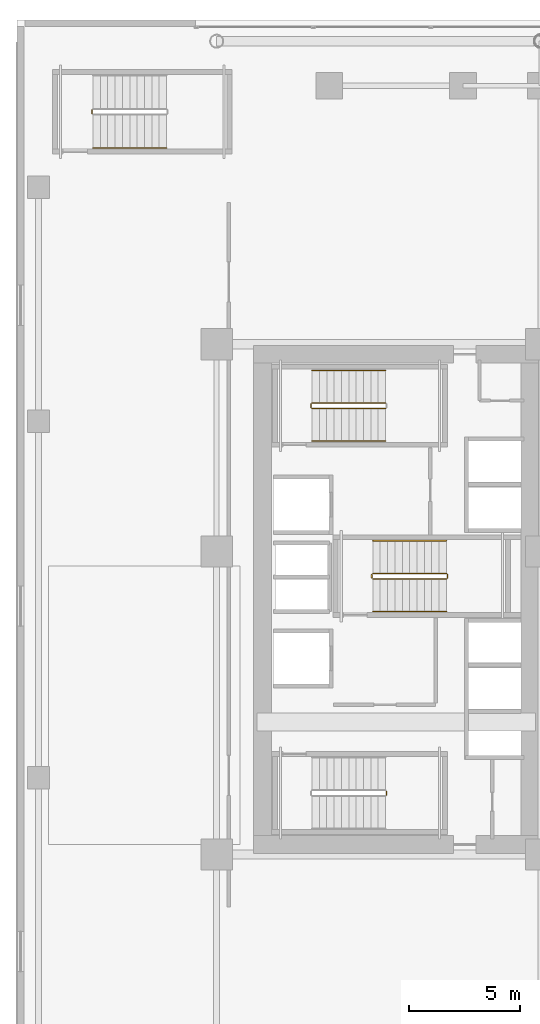
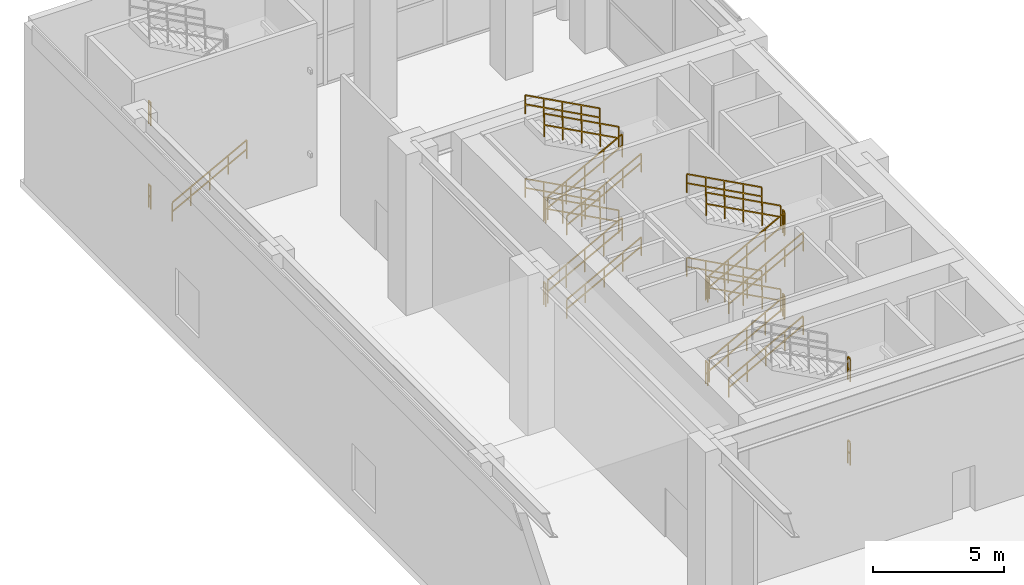
# One storey, part 26 of 29: 27 railings.
"""IFC4 building model written with IfcOpenShell, lengths in metres."""

from ifc_helpers import new_model, si_unit, direction, frame, origin, origin_2d, place, context, subcontext, project, spatial, rectangle, extrude, material, type_object, element, save


model = new_model("IFC4")

# Units and contexts
model_context = context("Model", 3, precision=1e-05, world=origin(), true_north=direction((0.0, 1.0)))
body_context = subcontext(model_context, "Body", "Model", "MODEL_VIEW")
ifc_project = project(units=[si_unit("LENGTHUNIT", "METRE"), si_unit("AREAUNIT", "SQUARE_METRE"), si_unit("VOLUMEUNIT", "CUBIC_METRE"), si_unit("PLANEANGLEUNIT", "RADIAN"), si_unit("MASSUNIT", "GRAM", prefix="KILO")], contexts=[model_context])

# Site, building, storey
site_placement = place(None, origin())
site = spatial("IfcSite", under=ifc_project, at=site_placement, CompositionType="ELEMENT")
building_placement = place(site_placement, origin())
building = spatial("IfcBuilding", under=site, at=building_placement, Name="Ocotamira Hotel", CompositionType="ELEMENT")
storey_placement = place(building_placement, frame((0.0, 0.0, 11.39990234375)))
storey = spatial("IfcBuildingStorey", under=building, at=storey_placement, Name="L03", CompositionType="ELEMENT", Elevation=11.39990234375)

# Railings
ifc_material_1 = material(Name="Brushed stainless steel handrail", Category="steel")
railing_type_1 = type_object("IfcRailingType", Name="RL-HAND-900", PredefinedType="HANDRAIL", material=ifc_material_1)
railing_1_placement = place(storey_placement, frame((13.22998046875, 33.10009765625, 0.354736328125)))
element("IfcRailing", 1, at=railing_1_placement, inside=storey, type_object=railing_type_1, Name="L03 ST-2 stair handrail 1", PredefinedType="HANDRAIL", context=body_context, shape_type="SweptSolid", body=[
    extrude(rectangle(XDim=0.048095703125, YDim=0.048095703125, at=origin_2d()), frame((0.0, 0.0, 0.8759765625), z_axis=(0.880943614595, 0.0, 0.473221246251), x_axis=(0.0, 1.0, 0.0)), (0.0, 0.0, 1.0), 3.74609375),
    extrude(rectangle(XDim=0.048095703125, YDim=0.048095703125, at=origin_2d()), frame((0.0, 0.0, 0.449951171875), z_axis=(0.880943614595, 0.0, 0.473221246251), x_axis=(0.0, 1.0, 0.0)), (0.0, 0.0, 1.0), 3.74609375),
    extrude(rectangle(XDim=0.0419921875, YDim=0.0419921875, at=origin_2d()), origin(), (0.0, 0.0, 1.0), 0.851806640625),
    extrude(rectangle(XDim=0.0419921875, YDim=0.0419921875, at=origin_2d()), frame((0.824951171875, 0.0, 0.443115234375)), (0.0, 0.0, 1.0), 0.851806640625),
    extrude(rectangle(XDim=0.0419921875, YDim=0.0419921875, at=origin_2d()), frame((1.64990234375, 0.0, 0.88623046875)), (0.0, 0.0, 1.0), 0.851806640625),
    extrude(rectangle(XDim=0.0419921875, YDim=0.0419921875, at=origin_2d()), frame((2.47509765625, 0.0, 1.32958984375)), (0.0, 0.0, 1.0), 0.851806640625),
    extrude(rectangle(XDim=0.0419921875, YDim=0.0419921875, at=origin_2d()), frame((3.300048828125, 0.0, 1.772705078125)), (0.0, 0.0, 1.0), 0.851806640625),
])
railing_2_placement = place(storey_placement, frame((16.530029296875, 36.280029296875, 2.3046875)))
element("IfcRailing", 2, at=railing_2_placement, inside=storey, type_object=railing_type_1, Name="L03 ST-2 stair handrail 2", PredefinedType="HANDRAIL", context=body_context, shape_type="SweptSolid", body=[
    extrude(rectangle(XDim=0.048095703125, YDim=0.048095703125, at=origin_2d()), frame((0.0, 0.0, 0.8759765625), z_axis=(-0.880943614595, 0.0, 0.473221246251), x_axis=(0.0, -1.0, 0.0)), (0.0, 0.0, 1.0), 3.74609375),
    extrude(rectangle(XDim=0.048095703125, YDim=0.048095703125, at=origin_2d()), frame((0.0, 0.0, 0.449951171875), z_axis=(-0.880943614595, 0.0, 0.473221246251), x_axis=(0.0, -1.0, 0.0)), (0.0, 0.0, 1.0), 3.74609375),
    extrude(rectangle(XDim=0.0419921875, YDim=0.0419921875, at=origin_2d()), origin(), (0.0, 0.0, 1.0), 0.851806640625),
    extrude(rectangle(XDim=0.0419921875, YDim=0.0419921875, at=origin_2d()), frame((-0.824951171875, 0.0, 0.443115234375)), (0.0, 0.0, 1.0), 0.851806640625),
    extrude(rectangle(XDim=0.0419921875, YDim=0.0419921875, at=origin_2d()), frame((-1.64990234375, 0.0, 0.88623046875)), (0.0, 0.0, 1.0), 0.851806640625),
    extrude(rectangle(XDim=0.0419921875, YDim=0.0419921875, at=origin_2d()), frame((-2.47509765625, 0.0, 1.32958984375)), (0.0, 0.0, 1.0), 0.851806640625),
    extrude(rectangle(XDim=0.0419921875, YDim=0.0419921875, at=origin_2d()), frame((-3.300048828125, 0.0, 1.772705078125)), (0.0, 0.0, 1.0), 0.851806640625),
])
railing_3_placement = place(storey_placement, frame((13.22998046875, 33.10009765625, 4.254638671875)))
element("IfcRailing", 3, at=railing_3_placement, inside=storey, type_object=railing_type_1, Name="L03 ST-2 stair handrail 3", PredefinedType="HANDRAIL", context=body_context, shape_type="SweptSolid", body=[
    extrude(rectangle(XDim=0.048095703125, YDim=0.048095703125, at=origin_2d()), frame((0.0, 0.0, 0.8759765625), z_axis=(0.880943614595, 0.0, 0.473221246251), x_axis=(0.0, 1.0, 0.0)), (0.0, 0.0, 1.0), 3.74609375),
    extrude(rectangle(XDim=0.048095703125, YDim=0.048095703125, at=origin_2d()), frame((0.0, 0.0, 0.449951171875), z_axis=(0.880943614595, 0.0, 0.473221246251), x_axis=(0.0, 1.0, 0.0)), (0.0, 0.0, 1.0), 3.74609375),
    extrude(rectangle(XDim=0.0419921875, YDim=0.0419921875, at=origin_2d()), origin(), (0.0, 0.0, 1.0), 0.851806640625),
    extrude(rectangle(XDim=0.0419921875, YDim=0.0419921875, at=origin_2d()), frame((0.824951171875, 0.0, 0.443115234375)), (0.0, 0.0, 1.0), 0.851806640625),
    extrude(rectangle(XDim=0.0419921875, YDim=0.0419921875, at=origin_2d()), frame((1.64990234375, 0.0, 0.88623046875)), (0.0, 0.0, 1.0), 0.851806640625),
    extrude(rectangle(XDim=0.0419921875, YDim=0.0419921875, at=origin_2d()), frame((2.47509765625, 0.0, 1.32958984375)), (0.0, 0.0, 1.0), 0.851806640625),
    extrude(rectangle(XDim=0.0419921875, YDim=0.0419921875, at=origin_2d()), frame((3.300048828125, 0.0, 1.772705078125)), (0.0, 0.0, 1.0), 0.851806640625),
])
railing_4_placement = place(storey_placement, frame((16.530029296875, 36.280029296875, 6.20458984375)))
element("IfcRailing", 4, at=railing_4_placement, inside=storey, type_object=railing_type_1, Name="L03 ST-2 stair handrail 4", PredefinedType="HANDRAIL", context=body_context, shape_type="SweptSolid", body=[
    extrude(rectangle(XDim=0.048095703125, YDim=0.048095703125, at=origin_2d()), frame((0.0, 0.0, 0.8759765625), z_axis=(-0.880943614595, 0.0, 0.473221246251), x_axis=(0.0, -1.0, 0.0)), (0.0, 0.0, 1.0), 3.74609375),
    extrude(rectangle(XDim=0.048095703125, YDim=0.048095703125, at=origin_2d()), frame((0.0, 0.0, 0.449951171875), z_axis=(-0.880943614595, 0.0, 0.473221246251), x_axis=(0.0, -1.0, 0.0)), (0.0, 0.0, 1.0), 3.74609375),
    extrude(rectangle(XDim=0.0419921875, YDim=0.0419921875, at=origin_2d()), origin(), (0.0, 0.0, 1.0), 0.851806640625),
    extrude(rectangle(XDim=0.0419921875, YDim=0.0419921875, at=origin_2d()), frame((-0.824951171875, 0.0, 0.443115234375)), (0.0, 0.0, 1.0), 0.851806640625),
    extrude(rectangle(XDim=0.0419921875, YDim=0.0419921875, at=origin_2d()), frame((-1.64990234375, 0.0, 0.88623046875)), (0.0, 0.0, 1.0), 0.851806640625),
    extrude(rectangle(XDim=0.0419921875, YDim=0.0419921875, at=origin_2d()), frame((-2.47509765625, 0.0, 1.32958984375)), (0.0, 0.0, 1.0), 0.851806640625),
    extrude(rectangle(XDim=0.0419921875, YDim=0.0419921875, at=origin_2d()), frame((-3.300048828125, 0.0, 1.772705078125)), (0.0, 0.0, 1.0), 0.851806640625),
])
railing_5_placement = place(storey_placement, frame((15.9599609375, 25.449951171875, 0.354736328125)))
element("IfcRailing", 5, at=railing_5_placement, inside=storey, type_object=railing_type_1, Name="L03 ST-3 stair handrail 1", PredefinedType="HANDRAIL", context=body_context, shape_type="SweptSolid", body=[
    extrude(rectangle(XDim=0.048095703125, YDim=0.048095703125, at=origin_2d()), frame((0.0, 0.0, 0.8759765625), z_axis=(0.880943614595, 0.0, 0.473221246251), x_axis=(0.0, 1.0, 0.0)), (0.0, 0.0, 1.0), 3.74609375),
    extrude(rectangle(XDim=0.048095703125, YDim=0.048095703125, at=origin_2d()), frame((0.0, 0.0, 0.449951171875), z_axis=(0.880943614595, 0.0, 0.473221246251), x_axis=(0.0, 1.0, 0.0)), (0.0, 0.0, 1.0), 3.74609375),
    extrude(rectangle(XDim=0.0419921875, YDim=0.0419921875, at=origin_2d()), origin(), (0.0, 0.0, 1.0), 0.851806640625),
    extrude(rectangle(XDim=0.0419921875, YDim=0.0419921875, at=origin_2d()), frame((0.824951171875, 0.0, 0.443115234375)), (0.0, 0.0, 1.0), 0.851806640625),
    extrude(rectangle(XDim=0.0419921875, YDim=0.0419921875, at=origin_2d()), frame((1.64990234375, 0.0, 0.88623046875)), (0.0, 0.0, 1.0), 0.851806640625),
    extrude(rectangle(XDim=0.0419921875, YDim=0.0419921875, at=origin_2d()), frame((2.47509765625, 0.0, 1.32958984375)), (0.0, 0.0, 1.0), 0.851806640625),
    extrude(rectangle(XDim=0.0419921875, YDim=0.0419921875, at=origin_2d()), frame((3.300048828125, 0.0, 1.772705078125)), (0.0, 0.0, 1.0), 0.851806640625),
])
railing_6_placement = place(storey_placement, frame((19.260009765625, 28.6298828125, 2.3046875)))
element("IfcRailing", 6, at=railing_6_placement, inside=storey, type_object=railing_type_1, Name="L03 ST-3 stair handrail 2", PredefinedType="HANDRAIL", context=body_context, shape_type="SweptSolid", body=[
    extrude(rectangle(XDim=0.048095703125, YDim=0.048095703125, at=origin_2d()), frame((0.0, 0.0, 0.8759765625), z_axis=(-0.880943614595, 0.0, 0.473221246251), x_axis=(0.0, -1.0, 0.0)), (0.0, 0.0, 1.0), 3.74609375),
    extrude(rectangle(XDim=0.048095703125, YDim=0.048095703125, at=origin_2d()), frame((0.0, 0.0, 0.449951171875), z_axis=(-0.880943614595, 0.0, 0.473221246251), x_axis=(0.0, -1.0, 0.0)), (0.0, 0.0, 1.0), 3.74609375),
    extrude(rectangle(XDim=0.0419921875, YDim=0.0419921875, at=origin_2d()), origin(), (0.0, 0.0, 1.0), 0.851806640625),
    extrude(rectangle(XDim=0.0419921875, YDim=0.0419921875, at=origin_2d()), frame((-0.824951171875, 0.0, 0.443115234375)), (0.0, 0.0, 1.0), 0.851806640625),
    extrude(rectangle(XDim=0.0419921875, YDim=0.0419921875, at=origin_2d()), frame((-1.64990234375, 0.0, 0.88623046875)), (0.0, 0.0, 1.0), 0.851806640625),
    extrude(rectangle(XDim=0.0419921875, YDim=0.0419921875, at=origin_2d()), frame((-2.47509765625, 0.0, 1.32958984375)), (0.0, 0.0, 1.0), 0.851806640625),
    extrude(rectangle(XDim=0.0419921875, YDim=0.0419921875, at=origin_2d()), frame((-3.300048828125, 0.0, 1.772705078125)), (0.0, 0.0, 1.0), 0.851806640625),
])
railing_7_placement = place(storey_placement, frame((15.9599609375, 25.449951171875, 4.254638671875)))
element("IfcRailing", 7, at=railing_7_placement, inside=storey, type_object=railing_type_1, Name="L03 ST-3 stair handrail 3", PredefinedType="HANDRAIL", context=body_context, shape_type="SweptSolid", body=[
    extrude(rectangle(XDim=0.048095703125, YDim=0.048095703125, at=origin_2d()), frame((0.0, 0.0, 0.8759765625), z_axis=(0.880943614595, 0.0, 0.473221246251), x_axis=(0.0, 1.0, 0.0)), (0.0, 0.0, 1.0), 3.74609375),
    extrude(rectangle(XDim=0.048095703125, YDim=0.048095703125, at=origin_2d()), frame((0.0, 0.0, 0.449951171875), z_axis=(0.880943614595, 0.0, 0.473221246251), x_axis=(0.0, 1.0, 0.0)), (0.0, 0.0, 1.0), 3.74609375),
    extrude(rectangle(XDim=0.0419921875, YDim=0.0419921875, at=origin_2d()), origin(), (0.0, 0.0, 1.0), 0.851806640625),
    extrude(rectangle(XDim=0.0419921875, YDim=0.0419921875, at=origin_2d()), frame((0.824951171875, 0.0, 0.443115234375)), (0.0, 0.0, 1.0), 0.851806640625),
    extrude(rectangle(XDim=0.0419921875, YDim=0.0419921875, at=origin_2d()), frame((1.64990234375, 0.0, 0.88623046875)), (0.0, 0.0, 1.0), 0.851806640625),
    extrude(rectangle(XDim=0.0419921875, YDim=0.0419921875, at=origin_2d()), frame((2.47509765625, 0.0, 1.32958984375)), (0.0, 0.0, 1.0), 0.851806640625),
    extrude(rectangle(XDim=0.0419921875, YDim=0.0419921875, at=origin_2d()), frame((3.300048828125, 0.0, 1.772705078125)), (0.0, 0.0, 1.0), 0.851806640625),
])
railing_8_placement = place(storey_placement, frame((19.260009765625, 28.6298828125, 6.20458984375)))
element("IfcRailing", 8, at=railing_8_placement, inside=storey, type_object=railing_type_1, Name="L03 ST-3 stair handrail 4", PredefinedType="HANDRAIL", context=body_context, shape_type="SweptSolid", body=[
    extrude(rectangle(XDim=0.048095703125, YDim=0.048095703125, at=origin_2d()), frame((0.0, 0.0, 0.8759765625), z_axis=(-0.880943614595, 0.0, 0.473221246251), x_axis=(0.0, -1.0, 0.0)), (0.0, 0.0, 1.0), 3.74609375),
    extrude(rectangle(XDim=0.048095703125, YDim=0.048095703125, at=origin_2d()), frame((0.0, 0.0, 0.449951171875), z_axis=(-0.880943614595, 0.0, 0.473221246251), x_axis=(0.0, -1.0, 0.0)), (0.0, 0.0, 1.0), 3.74609375),
    extrude(rectangle(XDim=0.0419921875, YDim=0.0419921875, at=origin_2d()), origin(), (0.0, 0.0, 1.0), 0.851806640625),
    extrude(rectangle(XDim=0.0419921875, YDim=0.0419921875, at=origin_2d()), frame((-0.824951171875, 0.0, 0.443115234375)), (0.0, 0.0, 1.0), 0.851806640625),
    extrude(rectangle(XDim=0.0419921875, YDim=0.0419921875, at=origin_2d()), frame((-1.64990234375, 0.0, 0.88623046875)), (0.0, 0.0, 1.0), 0.851806640625),
    extrude(rectangle(XDim=0.0419921875, YDim=0.0419921875, at=origin_2d()), frame((-2.47509765625, 0.0, 1.32958984375)), (0.0, 0.0, 1.0), 0.851806640625),
    extrude(rectangle(XDim=0.0419921875, YDim=0.0419921875, at=origin_2d()), frame((-3.300048828125, 0.0, 1.772705078125)), (0.0, 0.0, 1.0), 0.851806640625),
])
railing_9_placement = place(storey_placement, frame((3.39990234375, 46.25, 0.354736328125)))
element("IfcRailing", 9, at=railing_9_placement, inside=storey, type_object=railing_type_1, Name="L03 ST-5 stair handrail 1", PredefinedType="HANDRAIL", context=body_context, shape_type="SweptSolid", body=[
    extrude(rectangle(XDim=0.048095703125, YDim=0.048095703125, at=origin_2d()), frame((0.0, 0.0, 0.8759765625), z_axis=(0.880943614595, 0.0, 0.473221246251), x_axis=(0.0, 1.0, 0.0)), (0.0, 0.0, 1.0), 3.74609375),
    extrude(rectangle(XDim=0.048095703125, YDim=0.048095703125, at=origin_2d()), frame((0.0, 0.0, 0.449951171875), z_axis=(0.880943614595, 0.0, 0.473221246251), x_axis=(0.0, 1.0, 0.0)), (0.0, 0.0, 1.0), 3.74609375),
    extrude(rectangle(XDim=0.0419921875, YDim=0.0419921875, at=origin_2d()), origin(), (0.0, 0.0, 1.0), 0.851806640625),
    extrude(rectangle(XDim=0.0419921875, YDim=0.0419921875, at=origin_2d()), frame((0.824951171875, 0.0, 0.443115234375)), (0.0, 0.0, 1.0), 0.851806640625),
    extrude(rectangle(XDim=0.0419921875, YDim=0.0419921875, at=origin_2d()), frame((1.64990234375, 0.0, 0.88623046875)), (0.0, 0.0, 1.0), 0.851806640625),
    extrude(rectangle(XDim=0.0419921875, YDim=0.0419921875, at=origin_2d()), frame((2.47509765625, 0.0, 1.32958984375)), (0.0, 0.0, 1.0), 0.851806640625),
    extrude(rectangle(XDim=0.0419921875, YDim=0.0419921875, at=origin_2d()), frame((3.300048828125, 0.0, 1.772705078125)), (0.0, 0.0, 1.0), 0.851806640625),
])
ifc_material_2 = material(Name="Painted steel stair guardrail", Category="steel")
railing_type_2 = type_object("IfcRailingType", Name="RL-STAIR-1100", PredefinedType="GUARDRAIL", material=ifc_material_2)
for number, where, name in (
    (10, (16.580078125, 17.22998046875, 1.9501953125), "L03 ST-1 stair guard 2"),
    (11, (16.580078125, 17.22998046875, 5.85009765625), "L03 ST-1 stair guard 6"),
):
    element("IfcRailing", number, at=place(storey_placement, frame(where)), inside=storey, type_object=railing_type_2, Name=name, PredefinedType="GUARDRAIL", context=body_context, shape_type="SweptSolid", body=[
        extrude(rectangle(XDim=0.048095703125, YDim=0.048095703125, at=origin_2d()), frame((0.0, 0.0, 1.076171875), z_axis=(0.0, 1.0, 0.0), x_axis=(-1.0, 0.0, 0.0)), (0.0, 0.0, 1.0), 0.159912109375),
        extrude(rectangle(XDim=0.048095703125, YDim=0.048095703125, at=origin_2d()), frame((0.0, 0.0, 0.550048828125), z_axis=(0.0, 1.0, 0.0), x_axis=(-1.0, 0.0, 0.0)), (0.0, 0.0, 1.0), 0.159912109375),
        extrude(rectangle(XDim=0.0419921875, YDim=0.0419921875, at=origin_2d()), origin(), (0.0, 0.0, 1.0), 1.052001953125),
        extrude(rectangle(XDim=0.0419921875, YDim=0.0419921875, at=origin_2d()), frame((0.0, 0.159912109375, 0.0)), (0.0, 0.0, 1.0), 1.052001953125),
    ])
railing_10_placement = place(storey_placement, frame((13.22998046875, 34.56005859375, 0.177490234375)))
element("IfcRailing", 12, at=railing_10_placement, inside=storey, type_object=railing_type_2, Name="L03 ST-2 stair guard 1", PredefinedType="GUARDRAIL", context=body_context, shape_type="SweptSolid", body=[
    extrude(rectangle(XDim=0.048095703125, YDim=0.048095703125, at=origin_2d()), frame((0.0, 0.0, 1.076171875), z_axis=(0.880943614595, 0.0, 0.473221246251), x_axis=(0.0, 1.0, 0.0)), (0.0, 0.0, 1.0), 3.74609375),
    extrude(rectangle(XDim=0.048095703125, YDim=0.048095703125, at=origin_2d()), frame((0.0, 0.0, 0.550048828125), z_axis=(0.880943614595, 0.0, 0.473221246251), x_axis=(0.0, 1.0, 0.0)), (0.0, 0.0, 1.0), 3.74609375),
    extrude(rectangle(XDim=0.0419921875, YDim=0.0419921875, at=origin_2d()), origin(), (0.0, 0.0, 1.0), 1.052001953125),
    extrude(rectangle(XDim=0.0419921875, YDim=0.0419921875, at=origin_2d()), frame((0.824951171875, 0.0, 0.443115234375)), (0.0, 0.0, 1.0), 1.052001953125),
    extrude(rectangle(XDim=0.0419921875, YDim=0.0419921875, at=origin_2d()), frame((1.64990234375, 0.0, 0.88623046875)), (0.0, 0.0, 1.0), 1.052001953125),
    extrude(rectangle(XDim=0.0419921875, YDim=0.0419921875, at=origin_2d()), frame((2.47509765625, 0.0, 1.32958984375)), (0.0, 0.0, 1.0), 1.052001953125),
    extrude(rectangle(XDim=0.0419921875, YDim=0.0419921875, at=origin_2d()), frame((3.300048828125, 0.0, 1.772705078125)), (0.0, 0.0, 1.0), 1.052001953125),
])
railing_11_placement = place(storey_placement, frame((16.530029296875, 34.820068359375, 2.12744140625)))
element("IfcRailing", 13, at=railing_11_placement, inside=storey, type_object=railing_type_2, Name="L03 ST-2 stair guard 3", PredefinedType="GUARDRAIL", context=body_context, shape_type="SweptSolid", body=[
    extrude(rectangle(XDim=0.048095703125, YDim=0.048095703125, at=origin_2d()), frame((0.0, 0.0, 1.076171875), z_axis=(-0.880943614595, 0.0, 0.473221246251), x_axis=(0.0, -1.0, 0.0)), (0.0, 0.0, 1.0), 3.74609375),
    extrude(rectangle(XDim=0.048095703125, YDim=0.048095703125, at=origin_2d()), frame((0.0, 0.0, 0.550048828125), z_axis=(-0.880943614595, 0.0, 0.473221246251), x_axis=(0.0, -1.0, 0.0)), (0.0, 0.0, 1.0), 3.74609375),
    extrude(rectangle(XDim=0.0419921875, YDim=0.0419921875, at=origin_2d()), origin(), (0.0, 0.0, 1.0), 1.052001953125),
    extrude(rectangle(XDim=0.0419921875, YDim=0.0419921875, at=origin_2d()), frame((-0.824951171875, 0.0, 0.443115234375)), (0.0, 0.0, 1.0), 1.052001953125),
    extrude(rectangle(XDim=0.0419921875, YDim=0.0419921875, at=origin_2d()), frame((-1.64990234375, 0.0, 0.88623046875)), (0.0, 0.0, 1.0), 1.052001953125),
    extrude(rectangle(XDim=0.0419921875, YDim=0.0419921875, at=origin_2d()), frame((-2.47509765625, 0.0, 1.32958984375)), (0.0, 0.0, 1.0), 1.052001953125),
    extrude(rectangle(XDim=0.0419921875, YDim=0.0419921875, at=origin_2d()), frame((-3.300048828125, 0.0, 1.772705078125)), (0.0, 0.0, 1.0), 1.052001953125),
])
railing_12_placement = place(storey_placement, frame((13.179931640625, 34.610107421875, 3.900146484375)))
element("IfcRailing", 14, at=railing_12_placement, inside=storey, type_object=railing_type_2, Name="L03 ST-2 stair guard 4", PredefinedType="GUARDRAIL", context=body_context, shape_type="SweptSolid", body=[
    extrude(rectangle(XDim=0.048095703125, YDim=0.048095703125, at=origin_2d()), frame((0.0, 0.0, 1.076171875), z_axis=(0.0, 1.0, 0.0), x_axis=(-1.0, 0.0, 0.0)), (0.0, 0.0, 1.0), 0.159912109375),
    extrude(rectangle(XDim=0.048095703125, YDim=0.048095703125, at=origin_2d()), frame((0.0, 0.0, 0.550048828125), z_axis=(0.0, 1.0, 0.0), x_axis=(-1.0, 0.0, 0.0)), (0.0, 0.0, 1.0), 0.159912109375),
    extrude(rectangle(XDim=0.0419921875, YDim=0.0419921875, at=origin_2d()), origin(), (0.0, 0.0, 1.0), 1.052001953125),
    extrude(rectangle(XDim=0.0419921875, YDim=0.0419921875, at=origin_2d()), frame((0.0, 0.159912109375, 0.0)), (0.0, 0.0, 1.0), 1.052001953125),
])
railing_13_placement = place(storey_placement, frame((13.22998046875, 34.56005859375, 4.077392578125)))
element("IfcRailing", 15, at=railing_13_placement, inside=storey, type_object=railing_type_2, Name="L03 ST-2 stair guard 5", PredefinedType="GUARDRAIL", context=body_context, shape_type="SweptSolid", body=[
    extrude(rectangle(XDim=0.048095703125, YDim=0.048095703125, at=origin_2d()), frame((0.0, 0.0, 1.076171875), z_axis=(0.880943614595, 0.0, 0.473221246251), x_axis=(0.0, 1.0, 0.0)), (0.0, 0.0, 1.0), 3.74609375),
    extrude(rectangle(XDim=0.048095703125, YDim=0.048095703125, at=origin_2d()), frame((0.0, 0.0, 0.550048828125), z_axis=(0.880943614595, 0.0, 0.473221246251), x_axis=(0.0, 1.0, 0.0)), (0.0, 0.0, 1.0), 3.74609375),
    extrude(rectangle(XDim=0.0419921875, YDim=0.0419921875, at=origin_2d()), origin(), (0.0, 0.0, 1.0), 1.052001953125),
    extrude(rectangle(XDim=0.0419921875, YDim=0.0419921875, at=origin_2d()), frame((0.824951171875, 0.0, 0.443115234375)), (0.0, 0.0, 1.0), 1.052001953125),
    extrude(rectangle(XDim=0.0419921875, YDim=0.0419921875, at=origin_2d()), frame((1.64990234375, 0.0, 0.88623046875)), (0.0, 0.0, 1.0), 1.052001953125),
    extrude(rectangle(XDim=0.0419921875, YDim=0.0419921875, at=origin_2d()), frame((2.47509765625, 0.0, 1.32958984375)), (0.0, 0.0, 1.0), 1.052001953125),
    extrude(rectangle(XDim=0.0419921875, YDim=0.0419921875, at=origin_2d()), frame((3.300048828125, 0.0, 1.772705078125)), (0.0, 0.0, 1.0), 1.052001953125),
])
railing_14_placement = place(storey_placement, frame((16.530029296875, 34.820068359375, 6.02734375)))
element("IfcRailing", 16, at=railing_14_placement, inside=storey, type_object=railing_type_2, Name="L03 ST-2 stair guard 7", PredefinedType="GUARDRAIL", context=body_context, shape_type="SweptSolid", body=[
    extrude(rectangle(XDim=0.048095703125, YDim=0.048095703125, at=origin_2d()), frame((0.0, 0.0, 1.076171875), z_axis=(-0.880943614595, 0.0, 0.473221246251), x_axis=(0.0, -1.0, 0.0)), (0.0, 0.0, 1.0), 3.74609375),
    extrude(rectangle(XDim=0.048095703125, YDim=0.048095703125, at=origin_2d()), frame((0.0, 0.0, 0.550048828125), z_axis=(-0.880943614595, 0.0, 0.473221246251), x_axis=(0.0, -1.0, 0.0)), (0.0, 0.0, 1.0), 3.74609375),
    extrude(rectangle(XDim=0.0419921875, YDim=0.0419921875, at=origin_2d()), origin(), (0.0, 0.0, 1.0), 1.052001953125),
    extrude(rectangle(XDim=0.0419921875, YDim=0.0419921875, at=origin_2d()), frame((-0.824951171875, 0.0, 0.443115234375)), (0.0, 0.0, 1.0), 1.052001953125),
    extrude(rectangle(XDim=0.0419921875, YDim=0.0419921875, at=origin_2d()), frame((-1.64990234375, 0.0, 0.88623046875)), (0.0, 0.0, 1.0), 1.052001953125),
    extrude(rectangle(XDim=0.0419921875, YDim=0.0419921875, at=origin_2d()), frame((-2.47509765625, 0.0, 1.32958984375)), (0.0, 0.0, 1.0), 1.052001953125),
    extrude(rectangle(XDim=0.0419921875, YDim=0.0419921875, at=origin_2d()), frame((-3.300048828125, 0.0, 1.772705078125)), (0.0, 0.0, 1.0), 1.052001953125),
])
railing_15_placement = place(storey_placement, frame((13.179931640625, 34.610107421875, 0.0)))
element("IfcRailing", 17, at=railing_15_placement, inside=storey, type_object=railing_type_2, Name="L03 ST-2 stair guard 8", PredefinedType="GUARDRAIL", context=body_context, shape_type="SweptSolid", body=[
    extrude(rectangle(XDim=0.048095703125, YDim=0.048095703125, at=origin_2d()), frame((0.0, 0.0, 1.076171875), z_axis=(0.0, 1.0, 0.0), x_axis=(-1.0, 0.0, 0.0)), (0.0, 0.0, 1.0), 0.159912109375),
    extrude(rectangle(XDim=0.048095703125, YDim=0.048095703125, at=origin_2d()), frame((0.0, 0.0, 0.550048828125), z_axis=(0.0, 1.0, 0.0), x_axis=(-1.0, 0.0, 0.0)), (0.0, 0.0, 1.0), 0.159912109375),
    extrude(rectangle(XDim=0.0419921875, YDim=0.0419921875, at=origin_2d()), origin(), (0.0, 0.0, 1.0), 1.052001953125),
    extrude(rectangle(XDim=0.0419921875, YDim=0.0419921875, at=origin_2d()), frame((0.0, 0.159912109375, 0.0)), (0.0, 0.0, 1.0), 1.052001953125),
])
railing_16_placement = place(storey_placement, frame((15.9599609375, 26.909912109375, 0.177490234375)))
element("IfcRailing", 18, at=railing_16_placement, inside=storey, type_object=railing_type_2, Name="L03 ST-3 stair guard 1", PredefinedType="GUARDRAIL", context=body_context, shape_type="SweptSolid", body=[
    extrude(rectangle(XDim=0.048095703125, YDim=0.048095703125, at=origin_2d()), frame((0.0, 0.0, 1.076171875), z_axis=(0.880943614595, 0.0, 0.473221246251), x_axis=(0.0, 1.0, 0.0)), (0.0, 0.0, 1.0), 3.74609375),
    extrude(rectangle(XDim=0.048095703125, YDim=0.048095703125, at=origin_2d()), frame((0.0, 0.0, 0.550048828125), z_axis=(0.880943614595, 0.0, 0.473221246251), x_axis=(0.0, 1.0, 0.0)), (0.0, 0.0, 1.0), 3.74609375),
    extrude(rectangle(XDim=0.0419921875, YDim=0.0419921875, at=origin_2d()), origin(), (0.0, 0.0, 1.0), 1.052001953125),
    extrude(rectangle(XDim=0.0419921875, YDim=0.0419921875, at=origin_2d()), frame((0.824951171875, 0.0, 0.443115234375)), (0.0, 0.0, 1.0), 1.052001953125),
    extrude(rectangle(XDim=0.0419921875, YDim=0.0419921875, at=origin_2d()), frame((1.64990234375, 0.0, 0.88623046875)), (0.0, 0.0, 1.0), 1.052001953125),
    extrude(rectangle(XDim=0.0419921875, YDim=0.0419921875, at=origin_2d()), frame((2.47509765625, 0.0, 1.32958984375)), (0.0, 0.0, 1.0), 1.052001953125),
    extrude(rectangle(XDim=0.0419921875, YDim=0.0419921875, at=origin_2d()), frame((3.300048828125, 0.0, 1.772705078125)), (0.0, 0.0, 1.0), 1.052001953125),
])
railing_17_placement = place(storey_placement, frame((19.31005859375, 26.9599609375, 1.9501953125)))
element("IfcRailing", 19, at=railing_17_placement, inside=storey, type_object=railing_type_2, Name="L03 ST-3 stair guard 2", PredefinedType="GUARDRAIL", context=body_context, shape_type="SweptSolid", body=[
    extrude(rectangle(XDim=0.048095703125, YDim=0.048095703125, at=origin_2d()), frame((0.0, 0.0, 1.076171875), z_axis=(0.0, 1.0, 0.0), x_axis=(-1.0, 0.0, 0.0)), (0.0, 0.0, 1.0), 0.16015625),
    extrude(rectangle(XDim=0.048095703125, YDim=0.048095703125, at=origin_2d()), frame((0.0, 0.0, 0.550048828125), z_axis=(0.0, 1.0, 0.0), x_axis=(-1.0, 0.0, 0.0)), (0.0, 0.0, 1.0), 0.16015625),
    extrude(rectangle(XDim=0.0419921875, YDim=0.0419921875, at=origin_2d()), origin(), (0.0, 0.0, 1.0), 1.052001953125),
    extrude(rectangle(XDim=0.0419921875, YDim=0.0419921875, at=origin_2d()), frame((0.0, 0.16015625, 0.0)), (0.0, 0.0, 1.0), 1.052001953125),
])
railing_18_placement = place(storey_placement, frame((19.260009765625, 27.169921875, 2.12744140625)))
element("IfcRailing", 20, at=railing_18_placement, inside=storey, type_object=railing_type_2, Name="L03 ST-3 stair guard 3", PredefinedType="GUARDRAIL", context=body_context, shape_type="SweptSolid", body=[
    extrude(rectangle(XDim=0.048095703125, YDim=0.048095703125, at=origin_2d()), frame((0.0, 0.0, 1.076171875), z_axis=(-0.880943614595, 0.0, 0.473221246251), x_axis=(0.0, -1.0, 0.0)), (0.0, 0.0, 1.0), 3.74609375),
    extrude(rectangle(XDim=0.048095703125, YDim=0.048095703125, at=origin_2d()), frame((0.0, 0.0, 0.550048828125), z_axis=(-0.880943614595, 0.0, 0.473221246251), x_axis=(0.0, -1.0, 0.0)), (0.0, 0.0, 1.0), 3.74609375),
    extrude(rectangle(XDim=0.0419921875, YDim=0.0419921875, at=origin_2d()), origin(), (0.0, 0.0, 1.0), 1.052001953125),
    extrude(rectangle(XDim=0.0419921875, YDim=0.0419921875, at=origin_2d()), frame((-0.824951171875, 0.0, 0.443115234375)), (0.0, 0.0, 1.0), 1.052001953125),
    extrude(rectangle(XDim=0.0419921875, YDim=0.0419921875, at=origin_2d()), frame((-1.64990234375, 0.0, 0.88623046875)), (0.0, 0.0, 1.0), 1.052001953125),
    extrude(rectangle(XDim=0.0419921875, YDim=0.0419921875, at=origin_2d()), frame((-2.47509765625, 0.0, 1.32958984375)), (0.0, 0.0, 1.0), 1.052001953125),
    extrude(rectangle(XDim=0.0419921875, YDim=0.0419921875, at=origin_2d()), frame((-3.300048828125, 0.0, 1.772705078125)), (0.0, 0.0, 1.0), 1.052001953125),
])
railing_19_placement = place(storey_placement, frame((15.909912109375, 26.9599609375, 3.900146484375)))
element("IfcRailing", 21, at=railing_19_placement, inside=storey, type_object=railing_type_2, Name="L03 ST-3 stair guard 4", PredefinedType="GUARDRAIL", context=body_context, shape_type="SweptSolid", body=[
    extrude(rectangle(XDim=0.048095703125, YDim=0.048095703125, at=origin_2d()), frame((0.0, 0.0, 1.076171875), z_axis=(0.0, 1.0, 0.0), x_axis=(-1.0, 0.0, 0.0)), (0.0, 0.0, 1.0), 0.16015625),
    extrude(rectangle(XDim=0.048095703125, YDim=0.048095703125, at=origin_2d()), frame((0.0, 0.0, 0.550048828125), z_axis=(0.0, 1.0, 0.0), x_axis=(-1.0, 0.0, 0.0)), (0.0, 0.0, 1.0), 0.16015625),
    extrude(rectangle(XDim=0.0419921875, YDim=0.0419921875, at=origin_2d()), origin(), (0.0, 0.0, 1.0), 1.052001953125),
    extrude(rectangle(XDim=0.0419921875, YDim=0.0419921875, at=origin_2d()), frame((0.0, 0.16015625, 0.0)), (0.0, 0.0, 1.0), 1.052001953125),
])
railing_20_placement = place(storey_placement, frame((15.9599609375, 26.909912109375, 4.077392578125)))
element("IfcRailing", 22, at=railing_20_placement, inside=storey, type_object=railing_type_2, Name="L03 ST-3 stair guard 5", PredefinedType="GUARDRAIL", context=body_context, shape_type="SweptSolid", body=[
    extrude(rectangle(XDim=0.048095703125, YDim=0.048095703125, at=origin_2d()), frame((0.0, 0.0, 1.076171875), z_axis=(0.880943614595, 0.0, 0.473221246251), x_axis=(0.0, 1.0, 0.0)), (0.0, 0.0, 1.0), 3.74609375),
    extrude(rectangle(XDim=0.048095703125, YDim=0.048095703125, at=origin_2d()), frame((0.0, 0.0, 0.550048828125), z_axis=(0.880943614595, 0.0, 0.473221246251), x_axis=(0.0, 1.0, 0.0)), (0.0, 0.0, 1.0), 3.74609375),
    extrude(rectangle(XDim=0.0419921875, YDim=0.0419921875, at=origin_2d()), origin(), (0.0, 0.0, 1.0), 1.052001953125),
    extrude(rectangle(XDim=0.0419921875, YDim=0.0419921875, at=origin_2d()), frame((0.824951171875, 0.0, 0.443115234375)), (0.0, 0.0, 1.0), 1.052001953125),
    extrude(rectangle(XDim=0.0419921875, YDim=0.0419921875, at=origin_2d()), frame((1.64990234375, 0.0, 0.88623046875)), (0.0, 0.0, 1.0), 1.052001953125),
    extrude(rectangle(XDim=0.0419921875, YDim=0.0419921875, at=origin_2d()), frame((2.47509765625, 0.0, 1.32958984375)), (0.0, 0.0, 1.0), 1.052001953125),
    extrude(rectangle(XDim=0.0419921875, YDim=0.0419921875, at=origin_2d()), frame((3.300048828125, 0.0, 1.772705078125)), (0.0, 0.0, 1.0), 1.052001953125),
])
railing_21_placement = place(storey_placement, frame((19.31005859375, 26.9599609375, 5.85009765625)))
element("IfcRailing", 23, at=railing_21_placement, inside=storey, type_object=railing_type_2, Name="L03 ST-3 stair guard 6", PredefinedType="GUARDRAIL", context=body_context, shape_type="SweptSolid", body=[
    extrude(rectangle(XDim=0.048095703125, YDim=0.048095703125, at=origin_2d()), frame((0.0, 0.0, 1.076171875), z_axis=(0.0, 1.0, 0.0), x_axis=(-1.0, 0.0, 0.0)), (0.0, 0.0, 1.0), 0.16015625),
    extrude(rectangle(XDim=0.048095703125, YDim=0.048095703125, at=origin_2d()), frame((0.0, 0.0, 0.550048828125), z_axis=(0.0, 1.0, 0.0), x_axis=(-1.0, 0.0, 0.0)), (0.0, 0.0, 1.0), 0.16015625),
    extrude(rectangle(XDim=0.0419921875, YDim=0.0419921875, at=origin_2d()), origin(), (0.0, 0.0, 1.0), 1.052001953125),
    extrude(rectangle(XDim=0.0419921875, YDim=0.0419921875, at=origin_2d()), frame((0.0, 0.16015625, 0.0)), (0.0, 0.0, 1.0), 1.052001953125),
])
railing_22_placement = place(storey_placement, frame((19.260009765625, 27.169921875, 6.02734375)))
element("IfcRailing", 24, at=railing_22_placement, inside=storey, type_object=railing_type_2, Name="L03 ST-3 stair guard 7", PredefinedType="GUARDRAIL", context=body_context, shape_type="SweptSolid", body=[
    extrude(rectangle(XDim=0.048095703125, YDim=0.048095703125, at=origin_2d()), frame((0.0, 0.0, 1.076171875), z_axis=(-0.880943614595, 0.0, 0.473221246251), x_axis=(0.0, -1.0, 0.0)), (0.0, 0.0, 1.0), 3.74609375),
    extrude(rectangle(XDim=0.048095703125, YDim=0.048095703125, at=origin_2d()), frame((0.0, 0.0, 0.550048828125), z_axis=(-0.880943614595, 0.0, 0.473221246251), x_axis=(0.0, -1.0, 0.0)), (0.0, 0.0, 1.0), 3.74609375),
    extrude(rectangle(XDim=0.0419921875, YDim=0.0419921875, at=origin_2d()), origin(), (0.0, 0.0, 1.0), 1.052001953125),
    extrude(rectangle(XDim=0.0419921875, YDim=0.0419921875, at=origin_2d()), frame((-0.824951171875, 0.0, 0.443115234375)), (0.0, 0.0, 1.0), 1.052001953125),
    extrude(rectangle(XDim=0.0419921875, YDim=0.0419921875, at=origin_2d()), frame((-1.64990234375, 0.0, 0.88623046875)), (0.0, 0.0, 1.0), 1.052001953125),
    extrude(rectangle(XDim=0.0419921875, YDim=0.0419921875, at=origin_2d()), frame((-2.47509765625, 0.0, 1.32958984375)), (0.0, 0.0, 1.0), 1.052001953125),
    extrude(rectangle(XDim=0.0419921875, YDim=0.0419921875, at=origin_2d()), frame((-3.300048828125, 0.0, 1.772705078125)), (0.0, 0.0, 1.0), 1.052001953125),
])
railing_23_placement = place(storey_placement, frame((15.909912109375, 26.9599609375, 0.0)))
element("IfcRailing", 25, at=railing_23_placement, inside=storey, type_object=railing_type_2, Name="L03 ST-3 stair guard 8", PredefinedType="GUARDRAIL", context=body_context, shape_type="SweptSolid", body=[
    extrude(rectangle(XDim=0.048095703125, YDim=0.048095703125, at=origin_2d()), frame((0.0, 0.0, 1.076171875), z_axis=(0.0, 1.0, 0.0), x_axis=(-1.0, 0.0, 0.0)), (0.0, 0.0, 1.0), 0.16015625),
    extrude(rectangle(XDim=0.048095703125, YDim=0.048095703125, at=origin_2d()), frame((0.0, 0.0, 0.550048828125), z_axis=(0.0, 1.0, 0.0), x_axis=(-1.0, 0.0, 0.0)), (0.0, 0.0, 1.0), 0.16015625),
    extrude(rectangle(XDim=0.0419921875, YDim=0.0419921875, at=origin_2d()), origin(), (0.0, 0.0, 1.0), 1.052001953125),
    extrude(rectangle(XDim=0.0419921875, YDim=0.0419921875, at=origin_2d()), frame((0.0, 0.16015625, 0.0)), (0.0, 0.0, 1.0), 1.052001953125),
])
for number, where, name in (
    (26, (3.35009765625, 47.800048828125, 3.900146484375), "L03 ST-5 stair guard 4"),
    (27, (3.35009765625, 47.800048828125, 0.0), "L03 ST-5 stair guard 8"),
):
    element("IfcRailing", number, at=place(storey_placement, frame(where)), inside=storey, type_object=railing_type_2, Name=name, PredefinedType="GUARDRAIL", context=body_context, shape_type="SweptSolid", body=[
        extrude(rectangle(XDim=0.048095703125, YDim=0.048095703125, at=origin_2d()), frame((0.0, 0.0, 1.076171875), z_axis=(0.0, 1.0, 0.0), x_axis=(-1.0, 0.0, 0.0)), (0.0, 0.0, 1.0), 0.159912109375),
        extrude(rectangle(XDim=0.048095703125, YDim=0.048095703125, at=origin_2d()), frame((0.0, 0.0, 0.550048828125), z_axis=(0.0, 1.0, 0.0), x_axis=(-1.0, 0.0, 0.0)), (0.0, 0.0, 1.0), 0.159912109375),
        extrude(rectangle(XDim=0.0419921875, YDim=0.0419921875, at=origin_2d()), origin(), (0.0, 0.0, 1.0), 1.052001953125),
        extrude(rectangle(XDim=0.0419921875, YDim=0.0419921875, at=origin_2d()), frame((0.0, 0.159912109375, 0.0)), (0.0, 0.0, 1.0), 1.052001953125),
    ])

save(model, "model.ifc")
